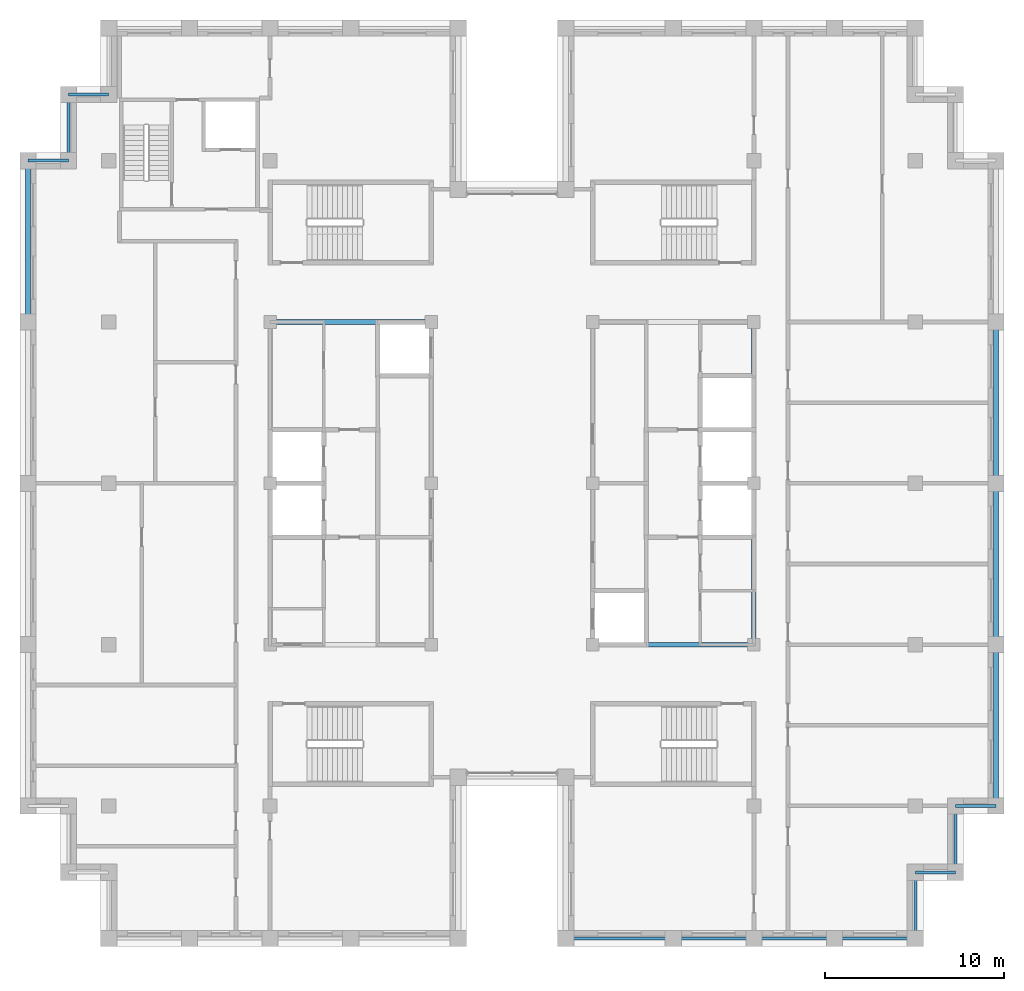
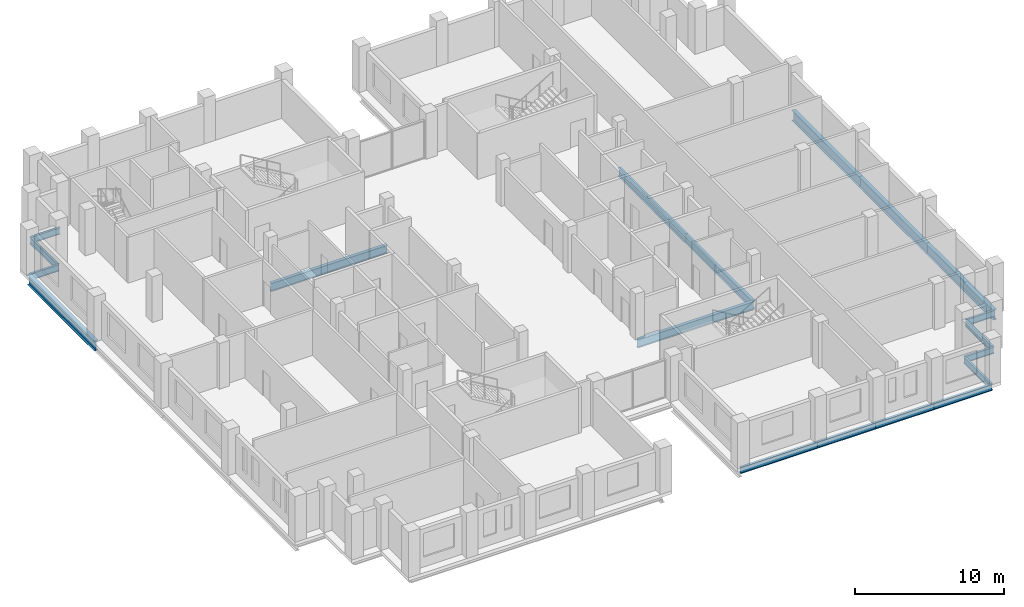
# One storey, part 3 of 13: 19 beams.
"""IFC4 building model written with IfcOpenShell, lengths in metres."""

from ifc_helpers import new_model, si_unit, direction, frame, origin, origin_2d, place, context, subcontext, project, spatial, i_section, extrude, material, material_profile, profile_set, type_object, element, save


model = new_model("IFC4")

# Units and contexts
model_context = context("Model", 3, precision=1e-05, world=origin(), true_north=direction((0.0, 1.0)))
body_context = subcontext(model_context, "Body", "Model", "MODEL_VIEW")
ifc_project = project(units=[si_unit("LENGTHUNIT", "METRE"), si_unit("AREAUNIT", "SQUARE_METRE"), si_unit("VOLUMEUNIT", "CUBIC_METRE"), si_unit("PLANEANGLEUNIT", "RADIAN"), si_unit("MASSUNIT", "GRAM", prefix="KILO")], contexts=[model_context])

# Site, building, storey
site_placement = place(None, origin())
site = spatial("IfcSite", under=ifc_project, at=site_placement, CompositionType="ELEMENT")
building_placement = place(site_placement, origin())
building = spatial("IfcBuilding", under=site, at=building_placement, Name="Corbelhall Arena Tower", CompositionType="ELEMENT")
storey_placement = place(building_placement, frame((0.0, 0.0, 338.0)))
storey = spatial("IfcBuildingStorey", under=building, at=storey_placement, Name="L74", CompositionType="ELEMENT", Elevation=338.0)

# Beams
ifc_material = material(Name="Steel ASTM A992 Gr50", Category="steel")
ifc_material_profile_1 = material_profile(ifc_material, i_section(OverallWidth=0.25390625, OverallDepth=0.67822265625, WebThickness=0.01171875, FlangeThickness=0.016357421875, at=origin_2d()))
ifc_profile_set_1 = profile_set([ifc_material_profile_1], Name="Steel ASTM A992 Gr50")
beam_type_1 = type_object("IfcBeamType", Name="ST-BEAM-W27x84", PredefinedType="BEAM", material=ifc_profile_set_1)
for number, where, z_axis, x_axis, name in (
    (1, (-13.5, 9.0, -0.59912109375), (1.0, 0.0, 0.0), (0.0, 1.0, 0.0), "Beam CEW 6"),
    (2, (13.5, -9.0, -0.59912109375), (0.0, 1.0, 0.0), (-1.0, 0.0, 0.0), "Beam CEE 9"),
    (3, (13.5, 0.0, -0.59912109375), (0.0, 1.0, 0.0), (-1.0, 0.0, 0.0), "Beam CEE 10"),
    (4, (4.5, -9.0, -0.59912109375), (1.0, 0.0, 0.0), (0.0, 1.0, 0.0), "Beam CEE 11"),
):
    element("IfcBeam", number, at=place(storey_placement, frame(where, z_axis=z_axis, x_axis=x_axis)), inside=storey, type_object=beam_type_1, Name=name, PredefinedType="BEAM", context=body_context, shape_type="SweptSolid", body=[
        extrude(i_section(OverallWidth=0.25390625, OverallDepth=0.67822265625, WebThickness=0.01171875, FlangeThickness=0.016357421875, at=origin_2d()), origin(), (0.0, 0.0, 1.0), 9.0),
    ])
ifc_material_profile_2 = material_profile(ifc_material, i_section(OverallWidth=0.16650390625, OverallDepth=0.535888671875, WebThickness=0.01025390625, FlangeThickness=0.0166015625, at=origin_2d()))
ifc_profile_set_2 = profile_set([ifc_material_profile_2], Name="Steel ASTM A992 Gr50")
beam_type_2 = type_object("IfcBeamType", Name="ST-SPANDREL-W21x57", PredefinedType="SPANDREL", material=ifc_profile_set_2)
beam_1_placement = place(storey_placement, frame((27.0, -18.0, -0.528076171875), z_axis=(-1.0, 0.0, 0.0), x_axis=(0.0, -1.0, 0.0)))
element("IfcBeam", 5, at=beam_1_placement, inside=storey, type_object=beam_type_2, Name="Beam SP 5", PredefinedType="SPANDREL", context=body_context, shape_type="SweptSolid", body=[
    extrude(i_section(OverallWidth=0.16650390625, OverallDepth=0.535888671875, WebThickness=0.01025390625, FlangeThickness=0.0166015625, at=origin_2d()), origin(), (0.0, 0.0, 1.0), 2.25),
])
beam_2_placement = place(storey_placement, frame((9.0, -25.39990234375, -0.528076171875), z_axis=(-1.0, 0.0, 0.0), x_axis=(0.0, -1.0, 0.0)))
element("IfcBeam", 6, at=beam_2_placement, inside=storey, type_object=beam_type_2, Name="Beam SP 17", PredefinedType="SPANDREL", context=body_context, shape_type="SweptSolid", body=[
    extrude(i_section(OverallWidth=0.16650390625, OverallDepth=0.535888671875, WebThickness=0.01025390625, FlangeThickness=0.0166015625, at=origin_2d()), origin(), (0.0, 0.0, 1.0), 6.0),
])
for number, where, z_axis, x_axis, name in (
    (7, (13.5, -25.39990234375, -0.528076171875), (-1.0, 0.0, 0.0), (0.0, -1.0, 0.0), "Beam SP 18"),
    (8, (18.0, -25.39990234375, -0.528076171875), (-1.0, 0.0, 0.0), (0.0, -1.0, 0.0), "Beam SP 19"),
    (9, (22.5, -25.39990234375, -0.528076171875), (-1.0, 0.0, 0.0), (0.0, -1.0, 0.0), "Beam SP 20"),
):
    element("IfcBeam", number, at=place(storey_placement, frame(where, z_axis=z_axis, x_axis=x_axis)), inside=storey, type_object=beam_type_2, Name=name, PredefinedType="SPANDREL", context=body_context, shape_type="SweptSolid", body=[
        extrude(i_section(OverallWidth=0.16650390625, OverallDepth=0.535888671875, WebThickness=0.01025390625, FlangeThickness=0.0166015625, at=origin_2d()), origin(), (0.0, 0.0, 1.0), 4.5),
    ])
for number, where, z_axis, x_axis, name in (
    (10, (-27.0, 18.0, -0.528076171875), (1.0, 0.0, 0.0), (0.0, 1.0, 0.0), "Beam SP 28"),
    (11, (-24.75, 21.699951171875, -0.528076171875), (1.0, 0.0, 0.0), (0.0, 1.0, 0.0), "Beam SP 39"),
):
    element("IfcBeam", number, at=place(storey_placement, frame(where, z_axis=z_axis, x_axis=x_axis)), inside=storey, type_object=beam_type_2, Name=name, PredefinedType="SPANDREL", context=body_context, shape_type="SweptSolid", body=[
        extrude(i_section(OverallWidth=0.16650390625, OverallDepth=0.535888671875, WebThickness=0.01025390625, FlangeThickness=0.0166015625, at=origin_2d()), origin(), (0.0, 0.0, 1.0), 2.25),
    ])
for number, where, z_axis, x_axis, name in (
    (12, (-24.75, 18.0, -0.528076171875), (0.0, 1.0, 0.0), (-1.0, 0.0, 0.0), "Beam SP 40"),
    (13, (22.5, -21.699951171875, -0.528076171875), (0.0, -1.0, 0.0), (1.0, 0.0, 0.0), "Beam SP 41"),
):
    element("IfcBeam", number, at=place(storey_placement, frame(where, z_axis=z_axis, x_axis=x_axis)), inside=storey, type_object=beam_type_2, Name=name, PredefinedType="SPANDREL", context=body_context, shape_type="SweptSolid", body=[
        extrude(i_section(OverallWidth=0.16650390625, OverallDepth=0.535888671875, WebThickness=0.01025390625, FlangeThickness=0.0166015625, at=origin_2d()), origin(), (0.0, 0.0, 1.0), 3.699951171875),
    ])
beam_3_placement = place(storey_placement, frame((24.75, -21.699951171875, -0.528076171875), z_axis=(-1.0, 0.0, 0.0), x_axis=(0.0, -1.0, 0.0)))
element("IfcBeam", 14, at=beam_3_placement, inside=storey, type_object=beam_type_2, Name="Beam SP 42", PredefinedType="SPANDREL", context=body_context, shape_type="SweptSolid", body=[
    extrude(i_section(OverallWidth=0.16650390625, OverallDepth=0.535888671875, WebThickness=0.01025390625, FlangeThickness=0.0166015625, at=origin_2d()), origin(), (0.0, 0.0, 1.0), 2.25),
])
beam_4_placement = place(storey_placement, frame((24.75, -18.0, -0.528076171875), z_axis=(0.0, -1.0, 0.0), x_axis=(1.0, 0.0, 0.0)))
element("IfcBeam", 15, at=beam_4_placement, inside=storey, type_object=beam_type_2, Name="Beam SP 43", PredefinedType="SPANDREL", context=body_context, shape_type="SweptSolid", body=[
    extrude(i_section(OverallWidth=0.16650390625, OverallDepth=0.535888671875, WebThickness=0.01025390625, FlangeThickness=0.0166015625, at=origin_2d()), origin(), (0.0, 0.0, 1.0), 3.699951171875),
])
ifc_material_profile_3 = material_profile(ifc_material, i_section(OverallWidth=0.2919921875, OverallDepth=0.845703125, WebThickness=0.015380859375, FlangeThickness=0.0244140625, at=origin_2d()))
ifc_profile_set_3 = profile_set([ifc_material_profile_3], Name="Steel ASTM A992 Gr50")
beam_type_3 = type_object("IfcBeamType", Name="ST-SPANDREL-W33x141", PredefinedType="SPANDREL", material=ifc_profile_set_3)
for number, where, z_axis, x_axis, name in (
    (16, (27.0, 0.0, -0.682861328125), (0.0, -1.0, 0.0), (1.0, 0.0, 0.0), "Beam SP 1"),
    (17, (27.0, 9.0, -0.682861328125), (0.0, -1.0, 0.0), (1.0, 0.0, 0.0), "Beam SP 2"),
    (18, (27.0, -9.0, -0.682861328125), (0.0, -1.0, 0.0), (1.0, 0.0, 0.0), "Beam SP 4"),
    (19, (-27.0, 9.0, -0.682861328125), (0.0, 1.0, 0.0), (-1.0, 0.0, 0.0), "Beam SP 27"),
):
    element("IfcBeam", number, at=place(storey_placement, frame(where, z_axis=z_axis, x_axis=x_axis)), inside=storey, type_object=beam_type_3, Name=name, PredefinedType="SPANDREL", context=body_context, shape_type="SweptSolid", body=[
        extrude(i_section(OverallWidth=0.2919921875, OverallDepth=0.845703125, WebThickness=0.015380859375, FlangeThickness=0.0244140625, at=origin_2d()), origin(), (0.0, 0.0, 1.0), 9.0),
    ])

save(model, "model.ifc")
